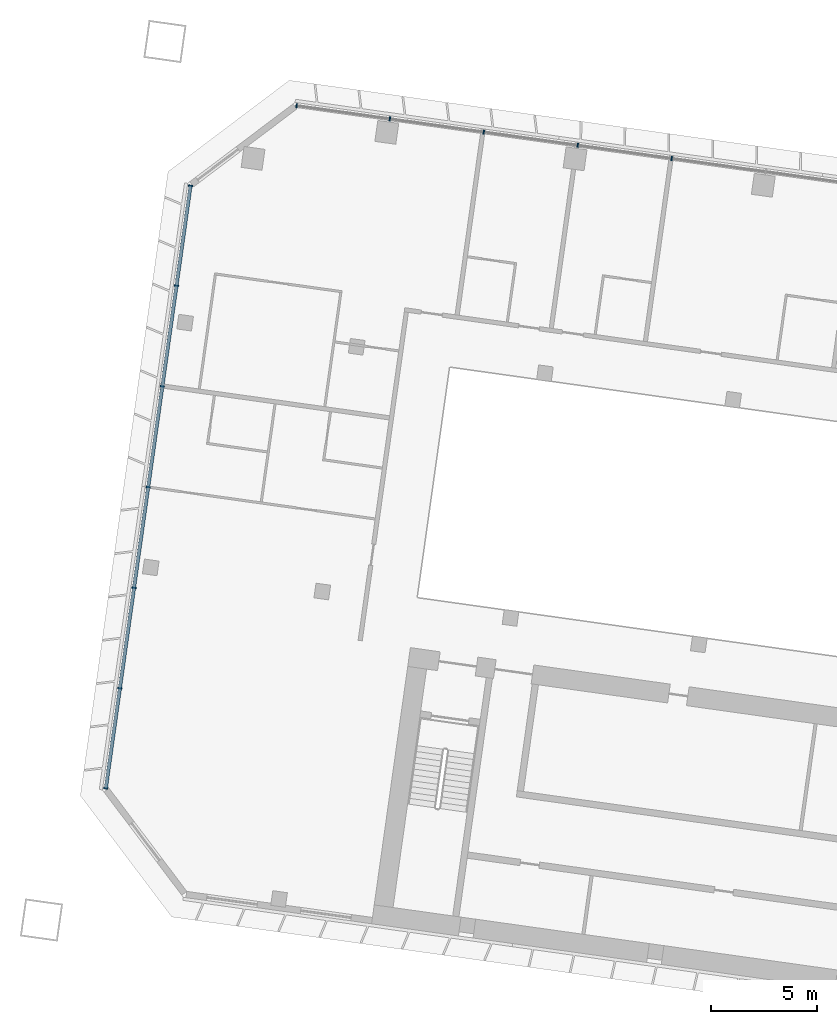
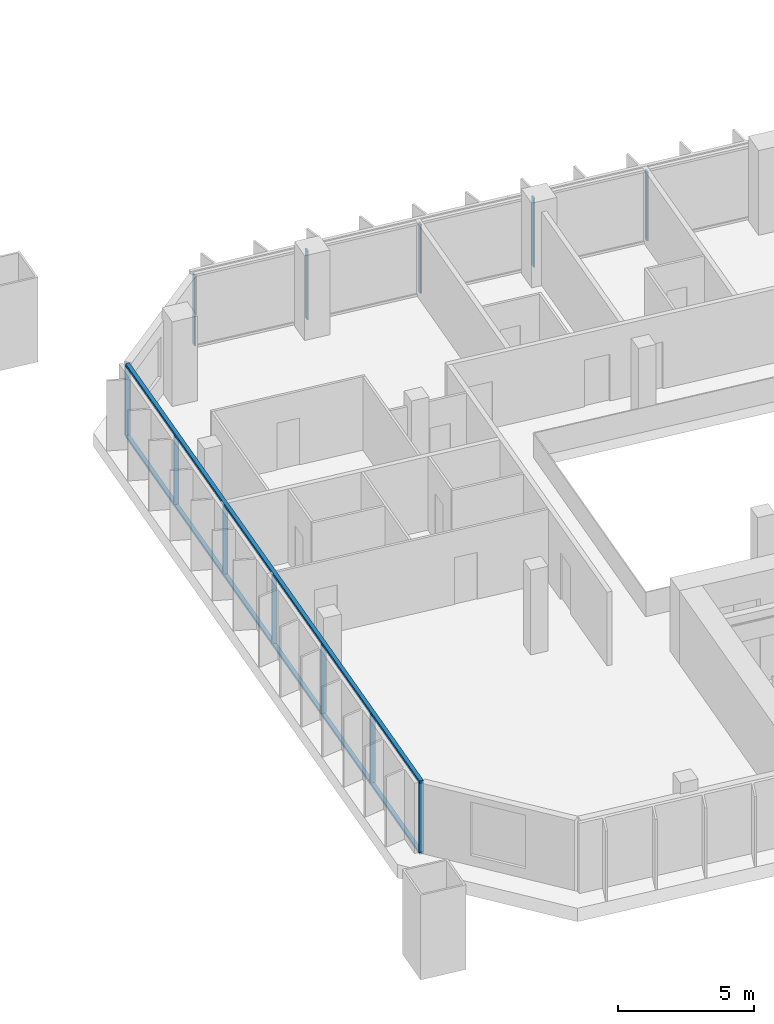
# One storey, part 2 of 24: 14 members, 2 elements without a shape of their own.
"""IFC4 building model written with IfcOpenShell, lengths in metres."""

from ifc_helpers import new_model, si_unit, direction, frame, origin, origin_2d, place, context, subcontext, project, spatial, rectangle, extrude, material, material_profile, profile_set, type_object, element, aggregate, save


model = new_model("IFC4")

# Units and contexts
model_context = context("Model", 3, precision=1e-05, world=origin(), true_north=direction((0.0, 1.0)))
body_context = subcontext(model_context, "Body", "Model", "MODEL_VIEW")
ifc_project = project(units=[si_unit("LENGTHUNIT", "METRE"), si_unit("AREAUNIT", "SQUARE_METRE"), si_unit("VOLUMEUNIT", "CUBIC_METRE"), si_unit("PLANEANGLEUNIT", "RADIAN"), si_unit("MASSUNIT", "GRAM", prefix="KILO")], contexts=[model_context])

# Site, building, storey
site_placement = place(None, origin())
site = spatial("IfcSite", under=ifc_project, at=site_placement, CompositionType="ELEMENT")
building_placement = place(site_placement, origin())
building = spatial("IfcBuilding", under=site, at=building_placement, Name="Mirante Cascada Hotel Towers", CompositionType="ELEMENT")
storey_placement = place(building_placement, frame((0.0, 0.0, 88.9)))
storey = spatial("IfcBuildingStorey", under=building, at=storey_placement, Name="L19", CompositionType="ELEMENT", Elevation=88.9)

# Curtain wall, members
ifc_material_1 = material(Name="Aluminium mullion and transom frame with clear laminated glass", Category="aluminium")
curtain_wall_type_1 = type_object("IfcCurtainWallType", Name="Ribbon curtain wall ECW1", PredefinedType="NOTDEFINED", material=ifc_material_1)
curtain_wall_1_placement = place(storey_placement, origin())
curtain_wall_1 = element("IfcCurtainWall", 1, at=curtain_wall_1_placement, inside=storey, type_object=curtain_wall_type_1, Name="Front ribbon wall T1 L19", PredefinedType="NOTDEFINED")
ifc_material_2 = material(Name="Anodised aluminium extrusion", Category="aluminium")
ifc_material_profile_1 = material_profile(ifc_material_2, rectangle(XDim=0.2, YDim=0.065, at=origin_2d()), Name="ECW1 MULLION 65x200")
ifc_profile_set_1 = profile_set([ifc_material_profile_1], Name="Anodised aluminium extrusion")
member_type_1 = type_object("IfcMemberType", Name="ECW1 mullion 65x200", PredefinedType="MULLION", material=ifc_profile_set_1)
member_1_placement = place(storey_placement, frame((-94.126, 26.0476, 0.1), z_axis=(0.0, 0.0, 1.0), x_axis=(0.1391731, 0.9902681, 0.0)))
member_1 = element("IfcMember", 2, at=member_1_placement, type_object=member_type_1, Name="ECW1 mullion 1", PredefinedType="MULLION", context=body_context, shape_type="SweptSolid", body=[
    extrude(rectangle(XDim=0.2, YDim=0.065, at=origin_2d()), origin(), (0.0, 0.0, 1.0), 3.1),
])
member_2_placement = place(storey_placement, frame((-89.7107, 25.427, 0.1), z_axis=(0.0, 0.0, 1.0), x_axis=(0.1391731, 0.9902681, 0.0)))
member_2 = element("IfcMember", 3, at=member_2_placement, type_object=member_type_1, Name="ECW1 mullion 2", PredefinedType="MULLION", context=body_context, shape_type="SweptSolid", body=[
    extrude(rectangle(XDim=0.2, YDim=0.065, at=origin_2d()), origin(), (0.0, 0.0, 1.0), 3.1),
])
member_3_placement = place(storey_placement, frame((-85.2633, 24.802, 0.1), z_axis=(0.0, 0.0, 1.0), x_axis=(0.1391731, 0.9902681, 0.0)))
member_3 = element("IfcMember", 4, at=member_3_placement, type_object=member_type_1, Name="ECW1 mullion 3", PredefinedType="MULLION", context=body_context, shape_type="SweptSolid", body=[
    extrude(rectangle(XDim=0.2, YDim=0.065, at=origin_2d()), origin(), (0.0, 0.0, 1.0), 3.1),
])
member_4_placement = place(storey_placement, frame((-80.8159, 24.177, 0.1), z_axis=(0.0, 0.0, 1.0), x_axis=(0.1391731, 0.9902681, 0.0)))
member_4 = element("IfcMember", 5, at=member_4_placement, type_object=member_type_1, Name="ECW1 mullion 4", PredefinedType="MULLION", context=body_context, shape_type="SweptSolid", body=[
    extrude(rectangle(XDim=0.2, YDim=0.065, at=origin_2d()), origin(), (0.0, 0.0, 1.0), 3.1),
])
member_5_placement = place(storey_placement, frame((-76.3685, 23.5519, 0.1), z_axis=(0.0, 0.0, 1.0), x_axis=(0.1391731, 0.9902681, 0.0)))
member_5 = element("IfcMember", 6, at=member_5_placement, type_object=member_type_1, Name="ECW1 mullion 5", PredefinedType="MULLION", context=body_context, shape_type="SweptSolid", body=[
    extrude(rectangle(XDim=0.2, YDim=0.065, at=origin_2d()), origin(), (0.0, 0.0, 1.0), 3.1),
])
aggregate(curtain_wall_1, [member_1, member_2, member_3, member_4, member_5])

ifc_material_3 = material(Name="Aluminium mullion and transom frame with clear laminated glass", Category="aluminium")
curtain_wall_type_2 = type_object("IfcCurtainWallType", Name="End ribbon curtain wall ECW2", PredefinedType="NOTDEFINED", material=ifc_material_3)
curtain_wall_2_placement = place(storey_placement, origin())
curtain_wall_2 = element("IfcCurtainWall", 7, at=curtain_wall_2_placement, inside=storey, type_object=curtain_wall_type_2, Name="Outer end wall T1 L19", PredefinedType="NOTDEFINED")
ifc_material_4 = material(Name="Anodised aluminium extrusion", Category="aluminium")
ifc_material_profile_2 = material_profile(ifc_material_4, rectangle(XDim=0.2, YDim=0.065, at=origin_2d()), Name="ECW2 MULLION 65x200")
ifc_profile_set_2 = profile_set([ifc_material_profile_2], Name="Anodised aluminium extrusion")
member_type_2 = type_object("IfcMemberType", Name="ECW2 mullion 65x200", PredefinedType="MULLION", material=ifc_profile_set_2)
member_6_placement = place(storey_placement, frame((-103.1556, -6.2656, 0.1), z_axis=(0.0, 0.0, 1.0), x_axis=(-0.9902681, 0.1391731, 0.0)))
member_6 = element("IfcMember", 8, at=member_6_placement, type_object=member_type_2, Name="ECW2 mullion 1", PredefinedType="MULLION", context=body_context, shape_type="SweptSolid", body=[
    extrude(rectangle(XDim=0.2, YDim=0.065, at=origin_2d()), origin(), (0.0, 0.0, 1.0), 3.1),
])
member_7_placement = place(storey_placement, frame((-102.4903, -1.532, 0.1), z_axis=(0.0, 0.0, 1.0), x_axis=(-0.9902681, 0.1391731, 0.0)))
member_7 = element("IfcMember", 9, at=member_7_placement, type_object=member_type_2, Name="ECW2 mullion 2", PredefinedType="MULLION", context=body_context, shape_type="SweptSolid", body=[
    extrude(rectangle(XDim=0.2, YDim=0.065, at=origin_2d()), origin(), (0.0, 0.0, 1.0), 3.1),
])
member_8_placement = place(storey_placement, frame((-101.8205, 3.2338, 0.1), z_axis=(0.0, 0.0, 1.0), x_axis=(-0.9902681, 0.1391731, 0.0)))
member_8 = element("IfcMember", 10, at=member_8_placement, type_object=member_type_2, Name="ECW2 mullion 3", PredefinedType="MULLION", context=body_context, shape_type="SweptSolid", body=[
    extrude(rectangle(XDim=0.2, YDim=0.065, at=origin_2d()), origin(), (0.0, 0.0, 1.0), 3.1),
])
member_9_placement = place(storey_placement, frame((-101.1508, 7.9996, 0.1), z_axis=(0.0, 0.0, 1.0), x_axis=(-0.9902681, 0.1391731, 0.0)))
member_9 = element("IfcMember", 11, at=member_9_placement, type_object=member_type_2, Name="ECW2 mullion 4", PredefinedType="MULLION", context=body_context, shape_type="SweptSolid", body=[
    extrude(rectangle(XDim=0.2, YDim=0.065, at=origin_2d()), origin(), (0.0, 0.0, 1.0), 3.1),
])
member_10_placement = place(storey_placement, frame((-100.481, 12.7654, 0.1), z_axis=(0.0, 0.0, 1.0), x_axis=(-0.9902681, 0.1391731, 0.0)))
member_10 = element("IfcMember", 12, at=member_10_placement, type_object=member_type_2, Name="ECW2 mullion 5", PredefinedType="MULLION", context=body_context, shape_type="SweptSolid", body=[
    extrude(rectangle(XDim=0.2, YDim=0.065, at=origin_2d()), origin(), (0.0, 0.0, 1.0), 3.1),
])
member_11_placement = place(storey_placement, frame((-99.8112, 17.5312, 0.1), z_axis=(0.0, 0.0, 1.0), x_axis=(-0.9902681, 0.1391731, 0.0)))
member_11 = element("IfcMember", 13, at=member_11_placement, type_object=member_type_2, Name="ECW2 mullion 6", PredefinedType="MULLION", context=body_context, shape_type="SweptSolid", body=[
    extrude(rectangle(XDim=0.2, YDim=0.065, at=origin_2d()), origin(), (0.0, 0.0, 1.0), 3.1),
])
member_12_placement = place(storey_placement, frame((-99.1459, 22.2648, 0.1), z_axis=(0.0, 0.0, 1.0), x_axis=(-0.9902681, 0.1391731, 0.0)))
member_12 = element("IfcMember", 14, at=member_12_placement, type_object=member_type_2, Name="ECW2 mullion 7", PredefinedType="MULLION", context=body_context, shape_type="SweptSolid", body=[
    extrude(rectangle(XDim=0.2, YDim=0.065, at=origin_2d()), origin(), (0.0, 0.0, 1.0), 3.1),
])
ifc_material_5 = material(Name="Anodised aluminium extrusion", Category="aluminium")
ifc_material_profile_3 = material_profile(ifc_material_5, rectangle(XDim=0.16, YDim=0.1, at=origin_2d()), Name="ECW2 TRANSOM 100x160")
ifc_profile_set_3 = profile_set([ifc_material_profile_3], Name="Anodised aluminium extrusion")
member_type_3 = type_object("IfcMemberType", Name="ECW2 transom 100x160", PredefinedType="USERDEFINED", material=ifc_profile_set_3)
member_13_placement = place(storey_placement, frame((-103.1601, -6.2978, 0.05), z_axis=(0.1391723, 0.9902682, 0.0), x_axis=(-0.9902682, 0.1391723, 0.0)))
member_13 = element("IfcMember", 15, at=member_13_placement, type_object=member_type_3, Name="ECW2 sill transom", ObjectType="TRANSOM", PredefinedType="USERDEFINED", context=body_context, shape_type="SweptSolid", body=[
    extrude(rectangle(XDim=0.16, YDim=0.1, at=origin_2d()), origin(), (0.0, 0.0, 1.0), 28.8757),
])
member_14_placement = place(storey_placement, frame((-103.1601, -6.2978, 3.25), z_axis=(0.1391723, 0.9902682, 0.0), x_axis=(-0.9902682, 0.1391723, 0.0)))
member_14 = element("IfcMember", 16, at=member_14_placement, type_object=member_type_3, Name="ECW2 head transom", ObjectType="TRANSOM", PredefinedType="USERDEFINED", context=body_context, shape_type="SweptSolid", body=[
    extrude(rectangle(XDim=0.16, YDim=0.1, at=origin_2d()), origin(), (0.0, 0.0, 1.0), 28.8757),
])
aggregate(curtain_wall_2, [member_13, member_14, member_6, member_7, member_8, member_9, member_10, member_11, member_12])

save(model, "model.ifc")
